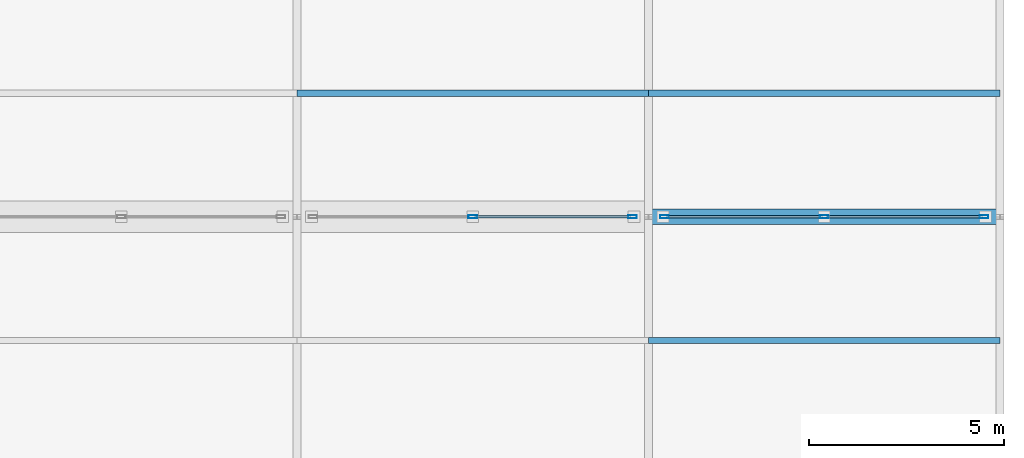
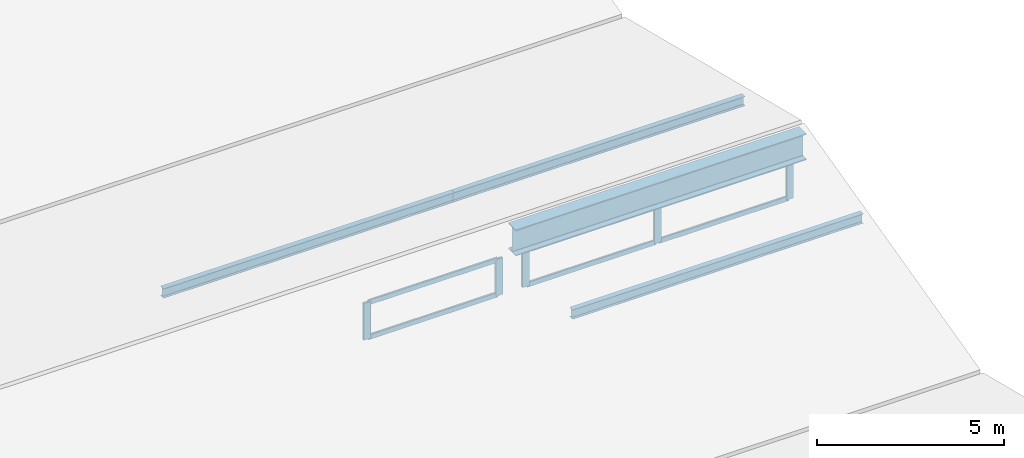
# One storey, part 14 of 36: 14 members, 1 beam, 2 elements without a shape of their own.
"""IFC4 building model written with IfcOpenShell, lengths in metres."""

from ifc_helpers import new_model, si_unit, direction, frame, origin, origin_2d, place, context, subcontext, project, spatial, hollow_rectangle, i_section, extrude, material, layer, layer_set, material_profile, profile_set, type_object, element, aggregate, save


model = new_model("IFC4")

# Units and contexts
model_context = context("Model", 3, precision=1e-05, world=origin(), true_north=direction((0.0, 1.0)))
body_context = subcontext(model_context, "Body", "Model", "MODEL_VIEW")
ifc_project = project(units=[si_unit("LENGTHUNIT", "METRE"), si_unit("AREAUNIT", "SQUARE_METRE"), si_unit("VOLUMEUNIT", "CUBIC_METRE"), si_unit("PLANEANGLEUNIT", "RADIAN"), si_unit("MASSUNIT", "GRAM", prefix="KILO")], contexts=[model_context])

# Site, building, storey
site_placement = place(None, origin())
site = spatial("IfcSite", under=ifc_project, at=site_placement, CompositionType="ELEMENT")
building_placement = place(site_placement, origin())
building = spatial("IfcBuilding", under=site, at=building_placement, Name="Qorvath Tower", CompositionType="ELEMENT")
storey_placement = place(building_placement, frame((0.0, 0.0, 27.0)))
storey = spatial("IfcBuildingStorey", under=building, at=storey_placement, Name="L05", CompositionType="ELEMENT", Elevation=27.0)

# Beam
ifc_material_1 = material(Name="Steel ASTM A992 Grade 50", Category="steel")
ifc_material_profile_1 = material_profile(ifc_material_1, i_section(OverallWidth=0.39892578125, OverallDepth=0.85498046875, WebThickness=0.018310546875, FlangeThickness=0.029296875, FilletRadius=0.02001953125, at=origin_2d()), Name="W33x201")
ifc_profile_set_1 = profile_set([ifc_material_profile_1], Name="Steel ASTM A992 Grade 50")
beam_type = type_object("IfcBeamType", Name="BM-FG2", PredefinedType="BEAM", material=ifc_profile_set_1)
beam_placement = place(storey_placement, frame((68.39990234375, -9.60009765625, 1.666015625), z_axis=(1.0, 0.0, 0.0), x_axis=(0.0, 1.0, 0.0)))
element("IfcBeam", 1, at=beam_placement, inside=storey, type_object=beam_type, Name="Library Roof Fold Girder 4-E", PredefinedType="BEAM", context=body_context, shape_type="SweptSolid", body=[
    extrude(i_section(OverallWidth=0.39892578125, OverallDepth=0.85498046875, WebThickness=0.018310546875, FlangeThickness=0.029296875, FilletRadius=0.02001953125, at=origin_2d()), origin(), (0.0, 0.0, 1.0), 9.0),
])

# Curtain wall, members
ifc_material_2 = material(Name="Anodised aluminium and triple low-E glass", Category="aluminium")
ifc_layer = layer(ifc_material_2, 0.179931640625)
ifc_layer_set = layer_set([ifc_layer], Name="CW-SYS-7")
curtain_wall_type = type_object("IfcCurtainWallType", Name="CW-SYS-7", PredefinedType="NOTDEFINED", material=ifc_layer_set)
curtain_wall_1_placement = place(storey_placement, origin())
curtain_wall_1 = element("IfcCurtainWall", 2, at=curtain_wall_1_placement, inside=storey, type_object=curtain_wall_type, Name="Curtain Wall CW-7 CW-LIB-SKY-2-4", PredefinedType="NOTDEFINED")
ifc_material_3 = material(Name="Anodised aluminium 6063-T6", Category="aluminium")
ifc_material_profile_2 = material_profile(ifc_material_3, hollow_rectangle(XDim=0.080078125, YDim=0.219970703125, WallThickness=0.00439453125, InnerFilletRadius=0.00439453125, OuterFilletRadius=0.009033203125, at=origin_2d()), Name="CWM LIB 220x80")
ifc_profile_set_2 = profile_set([ifc_material_profile_2], Name="Anodised aluminium 6063-T6")
member_type_1 = type_object("IfcMemberType", Name="CWM-LIB", PredefinedType="MULLION", material=ifc_profile_set_2)
member_1_placement = place(storey_placement, frame((63.89990234375, -9.60009765625, 0.0), z_axis=(0.0, 0.0, 1.0), x_axis=(0.0, 1.0, 0.0)))
member_1 = element("IfcMember", 3, at=member_1_placement, type_object=member_type_1, Name="CW-7 mullion 2", PredefinedType="MULLION", context=body_context, shape_type="SweptSolid", body=[
    extrude(hollow_rectangle(XDim=0.080078125, YDim=0.219970703125, WallThickness=0.00439453125, InnerFilletRadius=0.00439453125, OuterFilletRadius=0.009033203125, at=origin_2d()), origin(), (0.0, 0.0, 1.0), 1.199951171875),
])
member_2_placement = place(storey_placement, frame((67.989990234375, -9.60009765625, 0.0), z_axis=(0.0, 0.0, 1.0), x_axis=(0.0, 1.0, 0.0)))
member_2 = element("IfcMember", 4, at=member_2_placement, type_object=member_type_1, Name="CW-7 mullion 3", PredefinedType="MULLION", context=body_context, shape_type="SweptSolid", body=[
    extrude(hollow_rectangle(XDim=0.080078125, YDim=0.219970703125, WallThickness=0.00439453125, InnerFilletRadius=0.00439453125, OuterFilletRadius=0.009033203125, at=origin_2d()), origin(), (0.0, 0.0, 1.0), 1.199951171875),
])

curtain_wall_2_placement = place(storey_placement, origin())
curtain_wall_2 = element("IfcCurtainWall", 5, at=curtain_wall_2_placement, inside=storey, type_object=curtain_wall_type, Name="Curtain Wall CW-7 CW-LIB-SKY-2-5", PredefinedType="NOTDEFINED")
member_3_placement = place(storey_placement, frame((68.81005859375, -9.60009765625, 0.0), z_axis=(0.0, 0.0, 1.0), x_axis=(0.0, 1.0, 0.0)))
member_3 = element("IfcMember", 6, at=member_3_placement, type_object=member_type_1, Name="CW-7 mullion 1", PredefinedType="MULLION", context=body_context, shape_type="SweptSolid", body=[
    extrude(hollow_rectangle(XDim=0.080078125, YDim=0.219970703125, WallThickness=0.00439453125, InnerFilletRadius=0.00439453125, OuterFilletRadius=0.009033203125, at=origin_2d()), origin(), (0.0, 0.0, 1.0), 1.199951171875),
])
member_4_placement = place(storey_placement, frame((72.89990234375, -9.60009765625, 0.0), z_axis=(0.0, 0.0, 1.0), x_axis=(0.0, 1.0, 0.0)))
member_4 = element("IfcMember", 7, at=member_4_placement, type_object=member_type_1, Name="CW-7 mullion 2", PredefinedType="MULLION", context=body_context, shape_type="SweptSolid", body=[
    extrude(hollow_rectangle(XDim=0.080078125, YDim=0.219970703125, WallThickness=0.00439453125, InnerFilletRadius=0.00439453125, OuterFilletRadius=0.009033203125, at=origin_2d()), origin(), (0.0, 0.0, 1.0), 1.199951171875),
])
member_5_placement = place(storey_placement, frame((76.989990234375, -9.60009765625, 0.0), z_axis=(0.0, 0.0, 1.0), x_axis=(0.0, 1.0, 0.0)))
member_5 = element("IfcMember", 8, at=member_5_placement, type_object=member_type_1, Name="CW-7 mullion 3", PredefinedType="MULLION", context=body_context, shape_type="SweptSolid", body=[
    extrude(hollow_rectangle(XDim=0.080078125, YDim=0.219970703125, WallThickness=0.00439453125, InnerFilletRadius=0.00439453125, OuterFilletRadius=0.009033203125, at=origin_2d()), origin(), (0.0, 0.0, 1.0), 1.199951171875),
])

# Member
ifc_material_4 = material(Name="Anodised aluminium 6063-T6", Category="aluminium")
ifc_material_profile_3 = material_profile(ifc_material_4, hollow_rectangle(XDim=0.06494140625, YDim=0.159912109375, WallThickness=0.00341796875, InnerFilletRadius=0.00341796875, OuterFilletRadius=0.007080078125, at=origin_2d()), Name="CWT 160x65")
ifc_profile_set_3 = profile_set([ifc_material_profile_3], Name="Anodised aluminium 6063-T6")
member_type_2 = type_object("IfcMemberType", Name="CWT-160", PredefinedType="USERDEFINED", material=ifc_profile_set_3)
member_6_placement = place(storey_placement, frame((63.93994140625, -9.60009765625, 0.032470703125), z_axis=(1.0, 0.0, 0.0), x_axis=(0.0, 1.0, 0.0)))
member_6 = element("IfcMember", 9, at=member_6_placement, type_object=member_type_2, Name="CW-7 transom 2.1", ObjectType="TRANSOM", PredefinedType="USERDEFINED", context=body_context, shape_type="SweptSolid", body=[
    extrude(hollow_rectangle(XDim=0.06494140625, YDim=0.159912109375, WallThickness=0.00341796875, InnerFilletRadius=0.00341796875, OuterFilletRadius=0.007080078125, at=origin_2d()), origin(), (0.0, 0.0, 1.0), 4.010009765625),
])

member_7_placement = place(storey_placement, frame((63.93994140625, -9.60009765625, 1.16748046875), z_axis=(1.0, 0.0, 0.0), x_axis=(0.0, 1.0, 0.0)))
member_7 = element("IfcMember", 10, at=member_7_placement, type_object=member_type_2, Name="CW-7 transom 2.2", ObjectType="TRANSOM", PredefinedType="USERDEFINED", context=body_context, shape_type="SweptSolid", body=[
    extrude(hollow_rectangle(XDim=0.06494140625, YDim=0.159912109375, WallThickness=0.00341796875, InnerFilletRadius=0.00341796875, OuterFilletRadius=0.007080078125, at=origin_2d()), origin(), (0.0, 0.0, 1.0), 4.010009765625),
])

aggregate(curtain_wall_1, [member_1, member_2, member_6, member_7])

member_8_placement = place(storey_placement, frame((68.85009765625, -9.60009765625, 0.032470703125), z_axis=(1.0, 0.0, 0.0), x_axis=(0.0, 1.0, 0.0)))
member_8 = element("IfcMember", 11, at=member_8_placement, type_object=member_type_2, Name="CW-7 transom 1.1", ObjectType="TRANSOM", PredefinedType="USERDEFINED", context=body_context, shape_type="SweptSolid", body=[
    extrude(hollow_rectangle(XDim=0.06494140625, YDim=0.159912109375, WallThickness=0.00341796875, InnerFilletRadius=0.00341796875, OuterFilletRadius=0.007080078125, at=origin_2d()), origin(), (0.0, 0.0, 1.0), 4.010009765625),
])

member_9_placement = place(storey_placement, frame((68.85009765625, -9.60009765625, 1.16748046875), z_axis=(1.0, 0.0, 0.0), x_axis=(0.0, 1.0, 0.0)))
member_9 = element("IfcMember", 12, at=member_9_placement, type_object=member_type_2, Name="CW-7 transom 1.2", ObjectType="TRANSOM", PredefinedType="USERDEFINED", context=body_context, shape_type="SweptSolid", body=[
    extrude(hollow_rectangle(XDim=0.06494140625, YDim=0.159912109375, WallThickness=0.00341796875, InnerFilletRadius=0.00341796875, OuterFilletRadius=0.007080078125, at=origin_2d()), origin(), (0.0, 0.0, 1.0), 4.010009765625),
])

member_10_placement = place(storey_placement, frame((72.93994140625, -9.60009765625, 0.032470703125), z_axis=(1.0, 0.0, 0.0), x_axis=(0.0, 1.0, 0.0)))
member_10 = element("IfcMember", 13, at=member_10_placement, type_object=member_type_2, Name="CW-7 transom 2.1", ObjectType="TRANSOM", PredefinedType="USERDEFINED", context=body_context, shape_type="SweptSolid", body=[
    extrude(hollow_rectangle(XDim=0.06494140625, YDim=0.159912109375, WallThickness=0.00341796875, InnerFilletRadius=0.00341796875, OuterFilletRadius=0.007080078125, at=origin_2d()), origin(), (0.0, 0.0, 1.0), 4.010009765625),
])

member_11_placement = place(storey_placement, frame((72.93994140625, -9.60009765625, 1.16748046875), z_axis=(1.0, 0.0, 0.0), x_axis=(0.0, 1.0, 0.0)))
member_11 = element("IfcMember", 14, at=member_11_placement, type_object=member_type_2, Name="CW-7 transom 2.2", ObjectType="TRANSOM", PredefinedType="USERDEFINED", context=body_context, shape_type="SweptSolid", body=[
    extrude(hollow_rectangle(XDim=0.06494140625, YDim=0.159912109375, WallThickness=0.00341796875, InnerFilletRadius=0.00341796875, OuterFilletRadius=0.007080078125, at=origin_2d()), origin(), (0.0, 0.0, 1.0), 4.010009765625),
])

aggregate(curtain_wall_2, [member_3, member_4, member_5, member_8, member_9, member_10, member_11])

# Members
ifc_material_5 = material(Name="Steel ASTM A992 Grade 50", Category="steel")
ifc_material_profile_4 = material_profile(ifc_material_5, i_section(OverallWidth=0.1650390625, OverallDepth=0.31005859375, WebThickness=0.005859375, FlangeThickness=0.009765625, FilletRadius=0.010009765625, at=origin_2d()), Name="W12x26")
ifc_profile_set_4 = profile_set([ifc_material_profile_4], Name="Steel ASTM A992 Grade 50")
member_type_3 = type_object("IfcMemberType", Name="MEM-PR1", PredefinedType="PURLIN", material=ifc_profile_set_4)
for number, where, z_axis, x_axis, name in (
    (15, (68.39990234375, -12.76806640625, 1.1708984375), (1.0, 0.0, 0.0), (0.0, 1.0, 0.0), "Library Folded Roof Purlin F3-P2-5"),
    (16, (59.39990234375, -6.431884765625, 1.1708984375), (1.0, 0.0, 0.0), (0.0, 1.0, 0.0), "Library Folded Roof Purlin F4-P1-4"),
    (17, (68.39990234375, -6.431884765625, 1.1708984375), (1.0, 0.0, 0.0), (0.0, 1.0, 0.0), "Library Folded Roof Purlin F4-P1-5"),
):
    element("IfcMember", number, at=place(storey_placement, frame(where, z_axis=z_axis, x_axis=x_axis)), inside=storey, type_object=member_type_3, Name=name, PredefinedType="PURLIN", context=body_context, shape_type="SweptSolid", body=[
        extrude(i_section(OverallWidth=0.1650390625, OverallDepth=0.31005859375, WebThickness=0.005859375, FlangeThickness=0.009765625, FilletRadius=0.010009765625, at=origin_2d()), origin(), (0.0, 0.0, 1.0), 9.0),
    ])

save(model, "model.ifc")
